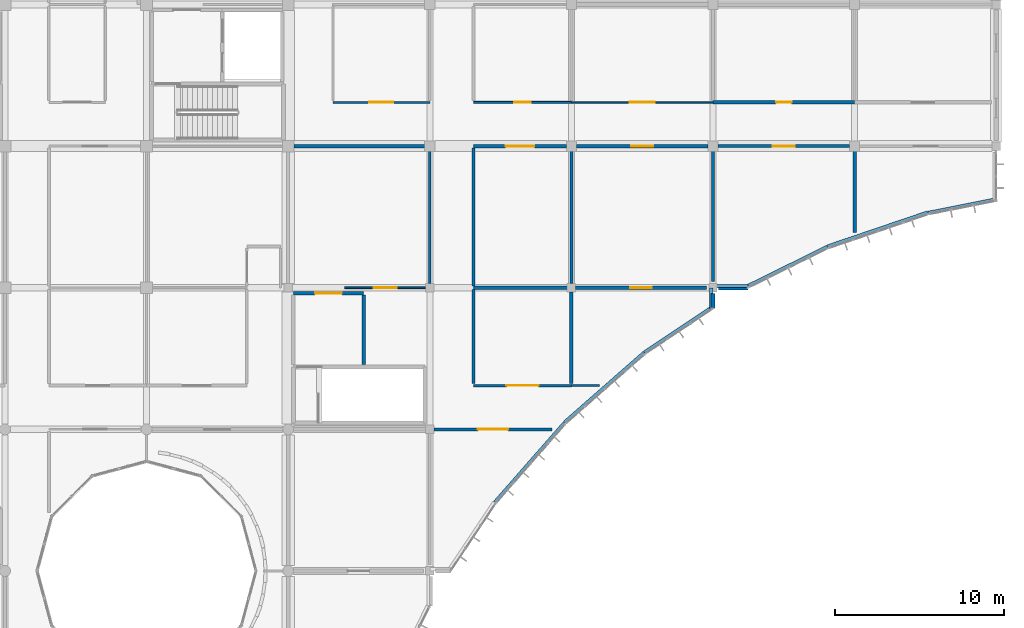
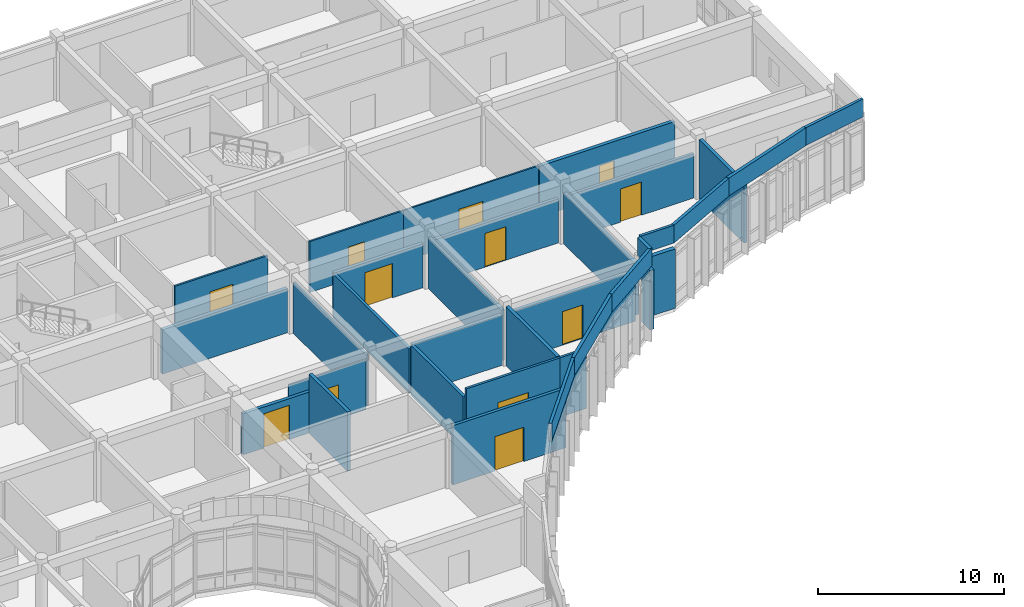
# One storey, part 98 of 119: 33 walls, 12 doors, 12 openings.
"""IFC4 building model written with IfcOpenShell, lengths in metres."""

from ifc_helpers import new_model, si_unit, direction, frame, frame_2d, origin, place, context, subcontext, project, spatial, rectangle, extrude, material, layer, layer_set, type_object, element, fill, save


model = new_model("IFC4")

# Units and contexts
model_context = context("Model", 3, precision=1e-05, world=origin(), true_north=direction((0.0, 1.0)))
body_context = subcontext(model_context, "Body", "Model", "MODEL_VIEW")
ifc_project = project(units=[si_unit("LENGTHUNIT", "METRE"), si_unit("AREAUNIT", "SQUARE_METRE"), si_unit("VOLUMEUNIT", "CUBIC_METRE"), si_unit("PLANEANGLEUNIT", "RADIAN"), si_unit("MASSUNIT", "GRAM", prefix="KILO")], contexts=[model_context])

# Site, building, storey
site_placement = place(None, origin())
site = spatial("IfcSite", under=ifc_project, at=site_placement, CompositionType="ELEMENT")
building_placement = place(site_placement, origin())
building = spatial("IfcBuilding", under=site, at=building_placement, Name="Bramfleet General Hospital", CompositionType="ELEMENT")
storey_placement = place(building_placement, frame((0.0, 0.0, 14.39990234375)))
storey = spatial("IfcBuildingStorey", under=building, at=storey_placement, Name="L03", CompositionType="ELEMENT", Elevation=14.39990234375)

# Walls
ifc_material_1 = material(Name="Precast concrete C40/50", Category="concrete")
ifc_layer_1 = layer(ifc_material_1, 0.264892578125, Name="WT-EW-07")
ifc_layer_set_1 = layer_set([ifc_layer_1], Name="Precast concrete C40/50")
wall_type_1 = type_object("IfcWallType", Name="WT-EW-07", PredefinedType="SOLIDWALL", material=ifc_layer_set_1)
wall_1_placement = place(storey_placement, frame((153.27392578125, 84.0, 0.0), z_axis=(0.0, 0.0, 1.0), x_axis=(-1.0, 0.0, 0.0)))
element("IfcWall", 1, at=wall_1_placement, inside=storey, type_object=wall_type_1, Name="L03 Exterior Wall 257", PredefinedType="SOLIDWALL", context=body_context, shape_type="SweptSolid", body=[
    extrude(rectangle(XDim=1.7490234375, YDim=0.264892578125, at=frame_2d((0.87451171875, 0.0))), origin(), (0.0, 0.0, 1.0), 3.89013671875),
])
ifc_layer_2 = layer(ifc_material_1, 0.25, Name="WT-EW-08")
ifc_layer_set_2 = layer_set([ifc_layer_2], Name="Precast concrete C40/50")
wall_type_2 = type_object("IfcWallType", Name="WT-EW-08", PredefinedType="SOLIDWALL", material=ifc_layer_set_2)
wall_2_placement = place(storey_placement, frame((151.199951171875, 83.675048828125, 0.0), z_axis=(0.0, 0.0, 1.0), x_axis=(0.0, -1.0, 0.0)))
element("IfcWall", 2, at=wall_2_placement, inside=storey, type_object=wall_type_2, Name="L03 Exterior Wall 258", PredefinedType="SOLIDWALL", context=body_context, shape_type="SweptSolid", body=[
    extrude(rectangle(XDim=0.907958984375, YDim=0.25, at=frame_2d((0.4541015625, 0.0))), origin(), (0.0, 0.0, 1.0), 3.89013671875),
])
ifc_material_2 = material(Name="Concrete C35/45", Category="concrete")
ifc_layer_3 = layer(ifc_material_2, 0.219970703125, Name="WT-IW-01")
ifc_layer_set_3 = layer_set([ifc_layer_3], Name="Concrete C35/45")
wall_type_3 = type_object("IfcWallType", Name="WT-IW-01", PredefinedType="PARTITIONING", material=ifc_layer_set_3)
wall_3_placement = place(storey_placement, frame((137.0, 84.0, 0.0), z_axis=(0.0, 0.0, 1.0), x_axis=(1.0, 0.0, 0.0)))
element("IfcWall", 3, at=wall_3_placement, inside=storey, type_object=wall_type_3, Name="L03 Interior Partition IW-L03-2629", PredefinedType="PARTITIONING", context=body_context, shape_type="SweptSolid", body=[
    extrude(rectangle(XDim=5.554931640625, YDim=0.219970703125, at=frame_2d((2.77734375, 0.0))), origin(), (0.0, 0.0, 1.0), 3.2900390625),
])
wall_4_placement = place(storey_placement, frame((126.344970703125, 92.39990234375, 0.0), z_axis=(0.0, 0.0, 1.0), x_axis=(1.0, 0.0, 0.0)))
element("IfcWall", 4, at=wall_4_placement, inside=storey, type_object=wall_type_3, Name="L03 Interior Partition IW-L03-2653", PredefinedType="PARTITIONING", context=body_context, shape_type="SweptSolid", body=[
    extrude(rectangle(XDim=7.760009765625, YDim=0.219970703125, at=frame_2d((3.8798828125, 0.0))), origin(), (0.0, 0.0, 1.0), 2.89013671875),
])

# Wall, opening, door
wall_5_placement = place(storey_placement, frame((151.199951171875, 95.0, 0.0), z_axis=(0.0, 0.0, 1.0), x_axis=(1.0, 0.0, 0.0)))
wall_5 = element("IfcWall", 5, at=wall_5_placement, inside=storey, type_object=wall_type_3, Name="L03 Interior Partition IW-L03-2677", PredefinedType="PARTITIONING", context=body_context, shape_type="SweptSolid", body=[
    extrude(rectangle(XDim=8.400146484375, YDim=0.219970703125, at=frame_2d((4.2001953125, 0.0))), origin(), (0.0, 0.0, 1.0), 3.340087890625),
])
opening_1_placement = place(wall_5_placement, frame((3.739990234375, 0.0, 0.0)))
opening_1 = element("IfcOpeningElement", 6, at=opening_1_placement, cuts=wall_5, Name="Opening D1209", PredefinedType="OPENING", context=body_context, shape_type="SweptSolid", body=[
    extrude(rectangle(XDim=0.919921875, YDim=2.080078125, at=frame_2d((0.4599609375, 1.0400390625))), frame((0.0, 0.119873046875, 0.0), z_axis=(0.0, -1.0, 0.0), x_axis=(1.0, 0.0, 0.0)), (0.0, 0.0, 1.0), 0.239990234375),
])
ifc_material_3 = material(Name="Stainless steel and acoustic timber leaf", Category="steel")
door_type_1 = type_object("IfcDoorType", Name="DR-D-25", OperationType="NOTDEFINED", PredefinedType="DOOR", material=ifc_material_3)
door_1_placement = place(opening_1_placement, origin())
door_1 = element("IfcDoor", 7, at=door_1_placement, inside=storey, type_object=door_type_1, Name="Maternity Delivery Suite and Clinical Lab L03-1811 Door D1209", OperationType="SINGLE_SWING_RIGHT", OverallHeight=2.080078125, OverallWidth=0.919921875, PredefinedType="DOOR", context=body_context, shape_type="SweptSolid", body=[
    extrude(rectangle(XDim=0.919921875, YDim=2.080078125, at=frame_2d((0.4599609375, 1.0400390625))), frame((0.0, 0.02490234375, 0.0), z_axis=(0.0, -1.0, 0.0), x_axis=(1.0, 0.0, 0.0)), (0.0, 0.0, 1.0), 0.050048828125),
])
fill(opening_1, door_1)

# Wall
ifc_layer_4 = layer(ifc_material_2, 0.205078125, Name="WT-IW-02")
ifc_layer_set_4 = layer_set([ifc_layer_4], Name="Concrete C35/45")
wall_type_4 = type_object("IfcWallType", Name="WT-IW-02", PredefinedType="PARTITIONING", material=ifc_layer_set_4)
wall_6_placement = place(storey_placement, frame((130.47998046875, 79.43994140625, 0.0), z_axis=(0.0, 0.0, 1.0), x_axis=(0.0, 1.0, 0.0)))
element("IfcWall", 8, at=wall_6_placement, inside=storey, type_object=wall_type_4, Name="L03 C12 Lobby East Shaft Wall", PredefinedType="PARTITIONING", context=body_context, shape_type="SweptSolid", body=[
    extrude(rectangle(XDim=4.1201171875, YDim=0.205078125, at=frame_2d((2.06005859375, 0.0))), origin(), (0.0, 0.0, 1.0), 3.89013671875),
])

# Wall, opening, door
wall_7_placement = place(storey_placement, frame((126.300048828125, 83.679931640625, 0.0), z_axis=(0.0, 0.0, 1.0), x_axis=(1.0, 0.0, 0.0)))
wall_7 = element("IfcWall", 9, at=wall_7_placement, inside=storey, type_object=wall_type_4, Name="L03 C12 Lobby North Compartment Wall", PredefinedType="PARTITIONING", context=body_context, shape_type="SweptSolid", body=[
    extrude(rectangle(XDim=4.179931640625, YDim=0.205078125, at=frame_2d((2.08984375, 0.0))), origin(), (0.0, 0.0, 1.0), 2.690185546875),
])
opening_2_placement = place(wall_7_placement, frame((1.2900390625, 0.0, 0.0)))
opening_2 = element("IfcOpeningElement", 10, at=opening_2_placement, cuts=wall_7, Name="Opening D0164", PredefinedType="OPENING", context=body_context, shape_type="SweptSolid", body=[
    extrude(rectangle(XDim=1.60009765625, YDim=2.25, at=frame_2d((0.800048828125, 1.125))), frame((0.0, 0.112548828125, 0.0), z_axis=(0.0, -1.0, 0.0), x_axis=(1.0, 0.0, 0.0)), (0.0, 0.0, 1.0), 0.22509765625),
])
door_type_2 = type_object("IfcDoorType", Name="DR-D-04", OperationType="NOTDEFINED", PredefinedType="DOOR", material=ifc_material_3)
door_2_placement = place(opening_2_placement, origin())
door_2 = element("IfcDoor", 11, at=door_2_placement, inside=storey, type_object=door_type_2, Name="L03 C12 Lobby Fire Door D0164", OperationType="DOUBLE_SWING_LEFT", OverallHeight=2.25, OverallWidth=1.60009765625, PredefinedType="DOOR", context=body_context, shape_type="SweptSolid", body=[
    extrude(rectangle(XDim=1.60009765625, YDim=2.25, at=frame_2d((0.800048828125, 1.125))), frame((0.0, 0.02490234375, 0.0), z_axis=(0.0, -1.0, 0.0), x_axis=(1.0, 0.0, 0.0)), (0.0, 0.0, 1.0), 0.050048828125),
])
fill(opening_2, door_2)

wall_8_placement = place(storey_placement, frame((143.044921875, 84.0, 0.0), z_axis=(0.0, 0.0, 1.0), x_axis=(1.0, 0.0, 0.0)))
wall_8 = element("IfcWall", 12, at=wall_8_placement, inside=storey, type_object=wall_type_4, Name="L03 Interior Partition IW-L03-2630", PredefinedType="PARTITIONING", context=body_context, shape_type="SweptSolid", body=[
    extrude(rectangle(XDim=7.76513671875, YDim=0.205078125, at=frame_2d((3.882568359375, 0.0))), origin(), (0.0, 0.0, 1.0), 3.2900390625),
])
opening_3_placement = place(wall_8_placement, frame((3.257568359375, 0.0, 0.0)))
opening_3 = element("IfcOpeningElement", 13, at=opening_3_placement, cuts=wall_8, Name="Opening D1198", PredefinedType="OPENING", context=body_context, shape_type="SweptSolid", body=[
    extrude(rectangle(XDim=1.25, YDim=2.199951171875, at=frame_2d((0.625, 1.10009765625))), frame((0.0, 0.112548828125, 0.0), z_axis=(0.0, -1.0, 0.0), x_axis=(1.0, 0.0, 0.0)), (0.0, 0.0, 1.0), 0.22509765625),
])
door_type_3 = type_object("IfcDoorType", Name="DR-D-14", OperationType="NOTDEFINED", PredefinedType="DOOR", material=ifc_material_3)
door_3_placement = place(opening_3_placement, origin())
door_3 = element("IfcDoor", 14, at=door_3_placement, inside=storey, type_object=door_type_3, Name="Maternity Delivery Suite and Clinical Lab L03-1709 Door D1198", OperationType="SINGLE_SWING_LEFT", OverallHeight=2.199951171875, OverallWidth=1.25, PredefinedType="DOOR", context=body_context, shape_type="SweptSolid", body=[
    extrude(rectangle(XDim=1.25, YDim=2.199951171875, at=frame_2d((0.625, 1.10009765625))), frame((0.0, 0.02490234375, 0.0), z_axis=(0.0, -1.0, 0.0), x_axis=(1.0, 0.0, 0.0)), (0.0, 0.0, 1.0), 0.050048828125),
])
fill(opening_3, door_3)

wall_9_placement = place(storey_placement, frame((137.0, 92.39990234375, 0.0), z_axis=(0.0, 0.0, 1.0), x_axis=(1.0, 0.0, 0.0)))
wall_9 = element("IfcWall", 15, at=wall_9_placement, inside=storey, type_object=wall_type_4, Name="L03 Interior Partition IW-L03-2654", PredefinedType="PARTITIONING", context=body_context, shape_type="SweptSolid", body=[
    extrude(rectangle(XDim=5.5048828125, YDim=0.205078125, at=frame_2d((2.75244140625, 0.0))), origin(), (0.0, 0.0, 1.0), 2.89013671875),
])
opening_4_placement = place(wall_9_placement, frame((1.902587890625, 0.0, 0.0)))
opening_4 = element("IfcOpeningElement", 16, at=opening_4_placement, cuts=wall_9, Name="Opening D1191", PredefinedType="OPENING", context=body_context, shape_type="SweptSolid", body=[
    extrude(rectangle(XDim=1.699951171875, YDim=2.25, at=frame_2d((0.85009765625, 1.125))), frame((0.0, 0.112548828125, 0.0), z_axis=(0.0, -1.0, 0.0), x_axis=(1.0, 0.0, 0.0)), (0.0, 0.0, 1.0), 0.22509765625),
])
door_type_4 = type_object("IfcDoorType", Name="DR-D-07", OperationType="NOTDEFINED", PredefinedType="DOOR", material=ifc_material_3)
door_4_placement = place(opening_4_placement, origin())
door_4 = element("IfcDoor", 17, at=door_4_placement, inside=storey, type_object=door_type_4, Name="Maternity Delivery Suite and Clinical Lab L03-1610 Door D1191", OperationType="DOUBLE_SWING_RIGHT", OverallHeight=2.25, OverallWidth=1.699951171875, PredefinedType="DOOR", context=body_context, shape_type="SweptSolid", body=[
    extrude(rectangle(XDim=1.699951171875, YDim=2.25, at=frame_2d((0.85009765625, 1.125))), frame((0.0, 0.02490234375, 0.0), z_axis=(0.0, -1.0, 0.0), x_axis=(1.0, 0.0, 0.0)), (0.0, 0.0, 1.0), 0.050048828125),
])
fill(opening_4, door_4)

# Walls
wall_10_placement = place(storey_placement, frame((142.800048828125, 78.31494140625, 0.0), z_axis=(0.0, 0.0, 1.0), x_axis=(0.0, 1.0, 0.0)))
element("IfcWall", 18, at=wall_10_placement, inside=storey, type_object=wall_type_4, Name="L03 Interior Partition IW-L03-3038", PredefinedType="PARTITIONING", context=body_context, shape_type="SweptSolid", body=[
    extrude(rectangle(XDim=5.43994140625, YDim=0.205078125, at=frame_2d((2.719970703125, 0.0))), origin(), (0.0, 0.0, 1.0), 3.89013671875),
])
wall_11_placement = place(storey_placement, frame((151.199951171875, 84.375, 0.0), z_axis=(0.0, 0.0, 1.0), x_axis=(0.0, 1.0, 0.0)))
element("IfcWall", 19, at=wall_11_placement, inside=storey, type_object=wall_type_4, Name="L03 Interior Partition IW-L03-3050", PredefinedType="PARTITIONING", context=body_context, shape_type="SweptSolid", body=[
    extrude(rectangle(XDim=7.72998046875, YDim=0.205078125, at=frame_2d((3.864990234375, 0.0))), origin(), (0.0, 0.0, 1.0), 3.340087890625),
])
wall_12_placement = place(storey_placement, frame((159.60009765625, 87.29052734375, 0.0), z_axis=(0.0, 0.0, 1.0), x_axis=(0.0, 1.0, 0.0)))
element("IfcWall", 20, at=wall_12_placement, inside=storey, type_object=wall_type_4, Name="L03 Interior Partition IW-L03-3062", PredefinedType="PARTITIONING", context=body_context, shape_type="SweptSolid", body=[
    extrude(rectangle(XDim=4.814453125, YDim=0.205078125, at=frame_2d((2.4072265625, 0.0))), origin(), (0.0, 0.0, 1.0), 3.89013671875),
])

# Wall, opening, door
ifc_layer_5 = layer(ifc_material_2, 0.18994140625, Name="WT-IW-03")
ifc_layer_set_5 = layer_set([ifc_layer_5], Name="Concrete C35/45")
wall_type_5 = type_object("IfcWallType", Name="WT-IW-03", PredefinedType="PARTITIONING", material=ifc_layer_set_5)
wall_13_placement = place(storey_placement, frame((134.64501953125, 75.60009765625, 0.0), z_axis=(0.0, 0.0, 1.0), x_axis=(1.0, 0.0, 0.0)))
wall_13 = element("IfcWall", 21, at=wall_13_placement, inside=storey, type_object=wall_type_5, Name="L03 Interior Partition IW-L03-2595", PredefinedType="PARTITIONING", context=body_context, shape_type="SweptSolid", body=[
    extrude(rectangle(XDim=7.015869140625, YDim=0.18994140625, at=frame_2d((3.5078125, 0.0))), origin(), (0.0, 0.0, 1.0), 3.89013671875),
])
opening_5_placement = place(wall_13_placement, frame((2.60791015625, 0.0, 0.0)))
opening_5 = element("IfcOpeningElement", 22, at=opening_5_placement, cuts=wall_13, Name="Opening D1189", PredefinedType="OPENING", context=body_context, shape_type="SweptSolid", body=[
    extrude(rectangle(XDim=1.800048828125, YDim=2.25, at=frame_2d((0.89990234375, 1.125))), frame((0.0, 0.10498046875, 0.0), z_axis=(0.0, -1.0, 0.0), x_axis=(1.0, 0.0, 0.0)), (0.0, 0.0, 1.0), 0.2099609375),
])
door_type_5 = type_object("IfcDoorType", Name="DR-D-05", OperationType="NOTDEFINED", PredefinedType="DOOR", material=ifc_material_3)
door_5_placement = place(opening_5_placement, origin())
door_5 = element("IfcDoor", 23, at=door_5_placement, inside=storey, type_object=door_type_5, Name="Maternity Delivery Suite and Clinical Lab L03-1608 Door D1189", OperationType="DOUBLE_SWING_RIGHT", OverallHeight=2.25, OverallWidth=1.800048828125, PredefinedType="DOOR", context=body_context, shape_type="SweptSolid", body=[
    extrude(rectangle(XDim=1.800048828125, YDim=2.25, at=frame_2d((0.89990234375, 1.125))), frame((0.0, 0.02490234375, 0.0), z_axis=(0.0, -1.0, 0.0), x_axis=(1.0, 0.0, 0.0)), (0.0, 0.0, 1.0), 0.050048828125),
])
fill(opening_5, door_5)

wall_14_placement = place(storey_placement, frame((143.094970703125, 92.39990234375, 0.0), z_axis=(0.0, 0.0, 1.0), x_axis=(1.0, 0.0, 0.0)))
wall_14 = element("IfcWall", 24, at=wall_14_placement, inside=storey, type_object=wall_type_5, Name="L03 Interior Partition IW-L03-2655", PredefinedType="PARTITIONING", context=body_context, shape_type="SweptSolid", body=[
    extrude(rectangle(XDim=7.81005859375, YDim=0.18994140625, at=frame_2d((3.905029296875, 0.0))), origin(), (0.0, 0.0, 1.0), 2.89013671875),
])
opening_6_placement = place(wall_14_placement, frame((3.2548828125, 0.0, 0.0)))
opening_6 = element("IfcOpeningElement", 25, at=opening_6_placement, cuts=wall_14, Name="Opening D1199", PredefinedType="OPENING", context=body_context, shape_type="SweptSolid", body=[
    extrude(rectangle(XDim=1.300048828125, YDim=2.199951171875, at=frame_2d((0.64990234375, 1.10009765625))), frame((0.0, 0.10498046875, 0.0), z_axis=(0.0, -1.0, 0.0), x_axis=(1.0, 0.0, 0.0)), (0.0, 0.0, 1.0), 0.2099609375),
])
door_type_6 = type_object("IfcDoorType", Name="DR-D-15", OperationType="NOTDEFINED", PredefinedType="DOOR", material=ifc_material_3)
door_6_placement = place(opening_6_placement, origin())
door_6 = element("IfcDoor", 26, at=door_6_placement, inside=storey, type_object=door_type_6, Name="Maternity Delivery Suite and Clinical Lab L03-1710 Door D1199", OperationType="SINGLE_SWING_RIGHT", OverallHeight=2.199951171875, OverallWidth=1.300048828125, PredefinedType="DOOR", context=body_context, shape_type="SweptSolid", body=[
    extrude(rectangle(XDim=1.300048828125, YDim=2.199951171875, at=frame_2d((0.64990234375, 1.10009765625))), frame((0.0, 0.02490234375, 0.0), z_axis=(0.0, -1.0, 0.0), x_axis=(1.0, 0.0, 0.0)), (0.0, 0.0, 1.0), 0.050048828125),
])
fill(opening_6, door_6)

# Walls
wall_15_placement = place(storey_placement, frame((137.0, 78.31494140625, 0.0), z_axis=(0.0, 0.0, 1.0), x_axis=(0.0, 1.0, 0.0)))
element("IfcWall", 27, at=wall_15_placement, inside=storey, type_object=wall_type_5, Name="L03 Interior Partition IW-L03-3027", PredefinedType="PARTITIONING", context=body_context, shape_type="SweptSolid", body=[
    extrude(rectangle(XDim=5.570068359375, YDim=0.18994140625, at=frame_2d((2.78515625, 0.0))), origin(), (0.0, 0.0, 1.0), 3.2900390625),
])
wall_16_placement = place(storey_placement, frame((142.800048828125, 84.2451171875, 0.0), z_axis=(0.0, 0.0, 1.0), x_axis=(0.0, 1.0, 0.0)))
element("IfcWall", 28, at=wall_16_placement, inside=storey, type_object=wall_type_5, Name="L03 Interior Partition IW-L03-3039", PredefinedType="PARTITIONING", context=body_context, shape_type="SweptSolid", body=[
    extrude(rectangle(XDim=7.85986328125, YDim=0.18994140625, at=frame_2d((3.929931640625, 0.0))), origin(), (0.0, 0.0, 1.0), 3.340087890625),
])

# Wall, opening, door
ifc_layer_6 = layer(ifc_material_2, 0.179931640625, Name="WT-IW-04")
ifc_layer_set_6 = layer_set([ifc_layer_6], Name="Concrete C35/45")
wall_type_6 = type_object("IfcWallType", Name="WT-IW-04", PredefinedType="PARTITIONING", material=ifc_layer_set_6)
wall_17_placement = place(storey_placement, frame((151.4951171875, 92.39990234375, 0.0), z_axis=(0.0, 0.0, 1.0), x_axis=(1.0, 0.0, 0.0)))
wall_17 = element("IfcWall", 29, at=wall_17_placement, inside=storey, type_object=wall_type_6, Name="L03 Interior Partition IW-L03-2656", PredefinedType="PARTITIONING", context=body_context, shape_type="SweptSolid", body=[
    extrude(rectangle(XDim=7.809814453125, YDim=0.179931640625, at=frame_2d((3.90478515625, 0.0))), origin(), (0.0, 0.0, 1.0), 2.89013671875),
])
opening_7_placement = place(wall_17_placement, frame((3.2451171875, 0.0, 0.0)))
opening_7 = element("IfcOpeningElement", 30, at=opening_7_placement, cuts=wall_17, Name="Opening D1208", PredefinedType="OPENING", context=body_context, shape_type="SweptSolid", body=[
    extrude(rectangle(XDim=1.320068359375, YDim=2.179931640625, at=frame_2d((0.66015625, 1.08984375))), frame((0.0, 0.099853515625, 0.0), z_axis=(0.0, -1.0, 0.0), x_axis=(1.0, 0.0, 0.0)), (0.0, 0.0, 1.0), 0.199951171875),
])
door_type_7 = type_object("IfcDoorType", Name="DR-D-24", OperationType="NOTDEFINED", PredefinedType="DOOR", material=ifc_material_3)
door_7_placement = place(opening_7_placement, origin())
door_7 = element("IfcDoor", 31, at=door_7_placement, inside=storey, type_object=door_type_7, Name="Maternity Delivery Suite and Clinical Lab L03-1810 Door D1208", OperationType="SINGLE_SWING_LEFT", OverallHeight=2.179931640625, OverallWidth=1.320068359375, PredefinedType="DOOR", context=body_context, shape_type="SweptSolid", body=[
    extrude(rectangle(XDim=1.320068359375, YDim=2.179931640625, at=frame_2d((0.66015625, 1.08984375))), frame((0.0, 0.02490234375, 0.0), z_axis=(0.0, -1.0, 0.0), x_axis=(1.0, 0.0, 0.0)), (0.0, 0.0, 1.0), 0.050048828125),
])
fill(opening_7, door_7)

# Wall
wall_18_placement = place(storey_placement, frame((137.0, 84.114990234375, 0.0), z_axis=(0.0, 0.0, 1.0), x_axis=(0.0, 1.0, 0.0)))
element("IfcWall", 32, at=wall_18_placement, inside=storey, type_object=wall_type_6, Name="L03 Interior Partition IW-L03-3028", PredefinedType="PARTITIONING", context=body_context, shape_type="SweptSolid", body=[
    extrude(rectangle(XDim=8.169921875, YDim=0.179931640625, at=frame_2d((4.0849609375, 0.0))), origin(), (0.0, 0.0, 1.0), 2.89013671875),
])

# Wall, opening, door
ifc_material_4 = material(Name="Gypsum plasterboard on acoustic steel studs", Category="steel")
ifc_layer_7 = layer(ifc_material_4, 0.14990234375, Name="WT-IW-07")
ifc_layer_set_7 = layer_set([ifc_layer_7], Name="Gypsum plasterboard on acoustic steel studs")
wall_type_7 = type_object("IfcWallType", Name="WT-IW-07", PredefinedType="PARTITIONING", material=ifc_layer_set_7)
wall_19_placement = place(storey_placement, frame((137.0, 78.199951171875, 0.0), z_axis=(0.0, 0.0, 1.0), x_axis=(1.0, 0.0, 0.0)))
wall_19 = element("IfcWall", 33, at=wall_19_placement, inside=storey, type_object=wall_type_7, Name="L03 Interior Partition IW-L03-2611", PredefinedType="PARTITIONING", context=body_context, shape_type="SweptSolid", body=[
    extrude(rectangle(XDim=5.800048828125, YDim=0.14990234375, at=frame_2d((2.89990234375, 0.0))), origin(), (0.0, 0.0, 1.0), 3.89013671875),
])
opening_8_placement = place(wall_19_placement, frame((1.949951171875, 0.0, 0.0)))
opening_8 = element("IfcOpeningElement", 34, at=opening_8_placement, cuts=wall_19, Name="Opening D1190", PredefinedType="OPENING", context=body_context, shape_type="SweptSolid", body=[
    extrude(rectangle(XDim=1.89990234375, YDim=2.300048828125, at=frame_2d((0.949951171875, 1.14990234375))), frame((0.0, 0.0849609375, 0.0), z_axis=(0.0, -1.0, 0.0), x_axis=(1.0, 0.0, 0.0)), (0.0, 0.0, 1.0), 0.169921875),
])
door_type_8 = type_object("IfcDoorType", Name="DR-D-06", OperationType="NOTDEFINED", PredefinedType="DOOR", material=ifc_material_3)
door_8_placement = place(opening_8_placement, origin())
door_8 = element("IfcDoor", 35, at=door_8_placement, inside=storey, type_object=door_type_8, Name="Maternity Delivery Suite and Clinical Lab L03-1609 Door D1190", OperationType="DOUBLE_SWING_LEFT", OverallHeight=2.300048828125, OverallWidth=1.89990234375, PredefinedType="DOOR", context=body_context, shape_type="SweptSolid", body=[
    extrude(rectangle(XDim=1.89990234375, YDim=2.300048828125, at=frame_2d((0.949951171875, 1.14990234375))), frame((0.0, 0.02490234375, 0.0), z_axis=(0.0, -1.0, 0.0), x_axis=(1.0, 0.0, 0.0)), (0.0, 0.0, 1.0), 0.050048828125),
])
fill(opening_8, door_8)

# Walls
ifc_layer_8 = layer(ifc_material_4, 0.139892578125, Name="WT-IW-08")
ifc_layer_set_8 = layer_set([ifc_layer_8], Name="Gypsum plasterboard on acoustic steel studs")
wall_type_8 = type_object("IfcWallType", Name="WT-IW-08", PredefinedType="PARTITIONING", material=ifc_layer_set_8)
wall_20_placement = place(storey_placement, frame((142.800048828125, 78.199951171875, 0.0), z_axis=(0.0, 0.0, 1.0), x_axis=(1.0, 0.0, 0.0)))
element("IfcWall", 36, at=wall_20_placement, inside=storey, type_object=wall_type_8, Name="L03 Interior Partition IW-L03-2612", PredefinedType="PARTITIONING", context=body_context, shape_type="SweptSolid", body=[
    extrude(rectangle(XDim=1.654541015625, YDim=0.139892578125, at=frame_2d((0.8271484375, 0.0))), origin(), (0.0, 0.0, 1.0), 3.89013671875),
])
wall_21_placement = place(storey_placement, frame((134.39990234375, 84.2451171875, 0.0), z_axis=(0.0, 0.0, 1.0), x_axis=(0.0, 1.0, 0.0)))
element("IfcWall", 37, at=wall_21_placement, inside=storey, type_object=wall_type_8, Name="L03 Interior Partition IW-L03-3020", PredefinedType="PARTITIONING", context=body_context, shape_type="SweptSolid", body=[
    extrude(rectangle(XDim=7.85986328125, YDim=0.139892578125, at=frame_2d((3.929931640625, 0.0))), origin(), (0.0, 0.0, 1.0), 3.340087890625),
])

# Wall, opening, door
ifc_layer_9 = layer(ifc_material_4, 0.1201171875, Name="WT-IW-10")
ifc_layer_set_9 = layer_set([ifc_layer_9], Name="Gypsum plasterboard on acoustic steel studs")
wall_type_9 = type_object("IfcWallType", Name="WT-IW-10", PredefinedType="PARTITIONING", material=ifc_layer_set_9)
wall_22_placement = place(storey_placement, frame((128.64990234375, 95.0, 0.0), z_axis=(0.0, 0.0, 1.0), x_axis=(1.0, 0.0, 0.0)))
wall_22 = element("IfcWall", 38, at=wall_22_placement, inside=storey, type_object=wall_type_9, Name="L03 Interior Partition IW-L03-2674", PredefinedType="PARTITIONING", context=body_context, shape_type="SweptSolid", body=[
    extrude(rectangle(XDim=5.75, YDim=0.1201171875, at=frame_2d((2.875, 0.0))), origin(), (0.0, 0.0, 1.0), 3.340087890625),
])
opening_9_placement = place(wall_22_placement, frame((2.1650390625, 0.0, 0.0)))
opening_9 = element("IfcOpeningElement", 39, at=opening_9_placement, cuts=wall_22, Name="Opening D1183", PredefinedType="OPENING", context=body_context, shape_type="SweptSolid", body=[
    extrude(rectangle(XDim=1.419921875, YDim=2.219970703125, at=frame_2d((0.7099609375, 1.10986328125))), frame((0.0, 0.070068359375, 0.0), z_axis=(0.0, -1.0, 0.0), x_axis=(1.0, 0.0, 0.0)), (0.0, 0.0, 1.0), 0.14013671875),
])
door_type_9 = type_object("IfcDoorType", Name="DR-D-31", OperationType="NOTDEFINED", PredefinedType="DOOR", material=ifc_material_3)
door_9_placement = place(opening_9_placement, origin())
door_9 = element("IfcDoor", 40, at=door_9_placement, inside=storey, type_object=door_type_9, Name="Maternity Delivery Suite and Clinical Lab L03-1511 Door D1183", OperationType="SINGLE_SWING_RIGHT", OverallHeight=2.219970703125, OverallWidth=1.419921875, PredefinedType="DOOR", context=body_context, shape_type="SweptSolid", body=[
    extrude(rectangle(XDim=1.419921875, YDim=2.219970703125, at=frame_2d((0.7099609375, 1.10986328125))), frame((0.0, 0.02490234375, 0.0), z_axis=(0.0, -1.0, 0.0), x_axis=(1.0, 0.0, 0.0)), (0.0, 0.0, 1.0), 0.050048828125),
])
fill(opening_9, door_9)

ifc_layer_10 = layer(ifc_material_4, 0.112060546875, Name="WT-IW-11")
ifc_layer_set_10 = layer_set([ifc_layer_10], Name="Gypsum plasterboard on acoustic steel studs")
wall_type_10 = type_object("IfcWallType", Name="WT-IW-11", PredefinedType="PARTITIONING", material=ifc_layer_set_10)
wall_23_placement = place(storey_placement, frame((137.0, 95.0, 0.0), z_axis=(0.0, 0.0, 1.0), x_axis=(1.0, 0.0, 0.0)))
wall_23 = element("IfcWall", 41, at=wall_23_placement, inside=storey, type_object=wall_type_10, Name="L03 Interior Partition IW-L03-2675", PredefinedType="PARTITIONING", context=body_context, shape_type="SweptSolid", body=[
    extrude(rectangle(XDim=5.800048828125, YDim=0.112060546875, at=frame_2d((2.89990234375, 0.0))), origin(), (0.0, 0.0, 1.0), 3.340087890625),
])
opening_10_placement = place(wall_23_placement, frame((2.39990234375, 0.0, 0.0)))
opening_10 = element("IfcOpeningElement", 42, at=opening_10_placement, cuts=wall_23, Name="Opening D1192", PredefinedType="OPENING", context=body_context, shape_type="SweptSolid", body=[
    extrude(rectangle(XDim=1.0, YDim=2.14990234375, at=frame_2d((0.5, 1.074951171875))), frame((0.0, 0.06591796875, 0.0), z_axis=(0.0, -1.0, 0.0), x_axis=(1.0, 0.0, 0.0)), (0.0, 0.0, 1.0), 0.132080078125),
])
door_type_10 = type_object("IfcDoorType", Name="DR-D-08", OperationType="NOTDEFINED", PredefinedType="DOOR", material=ifc_material_3)
door_10_placement = place(opening_10_placement, origin())
door_10 = element("IfcDoor", 43, at=door_10_placement, inside=storey, type_object=door_type_10, Name="Maternity Delivery Suite and Clinical Lab L03-1611 Door D1192", OperationType="SINGLE_SWING_LEFT", OverallHeight=2.14990234375, OverallWidth=1.0, PredefinedType="DOOR", context=body_context, shape_type="SweptSolid", body=[
    extrude(rectangle(XDim=1.0, YDim=2.14990234375, at=frame_2d((0.5, 1.074951171875))), frame((0.0, 0.02490234375, 0.0), z_axis=(0.0, -1.0, 0.0), x_axis=(1.0, 0.0, 0.0)), (0.0, 0.0, 1.0), 0.050048828125),
])
fill(opening_10, door_10)

ifc_layer_11 = layer(ifc_material_4, 0.10009765625, Name="WT-IW-12")
ifc_layer_set_11 = layer_set([ifc_layer_11], Name="Gypsum plasterboard on acoustic steel studs")
wall_type_11 = type_object("IfcWallType", Name="WT-IW-12", PredefinedType="PARTITIONING", material=ifc_layer_set_11)
wall_24_placement = place(storey_placement, frame((129.35009765625, 84.0, 0.0), z_axis=(0.0, 0.0, 1.0), x_axis=(1.0, 0.0, 0.0)))
wall_24 = element("IfcWall", 44, at=wall_24_placement, inside=storey, type_object=wall_type_11, Name="L03 Interior Partition IW-L03-2628", PredefinedType="PARTITIONING", context=body_context, shape_type="SweptSolid", body=[
    extrude(rectangle(XDim=4.804931640625, YDim=0.10009765625, at=frame_2d((2.40234375, 0.0))), origin(), (0.0, 0.0, 1.0), 3.2900390625),
])
opening_11_placement = place(wall_24_placement, frame((1.71240234375, 0.0, 0.0)))
opening_11 = element("IfcOpeningElement", 45, at=opening_11_placement, cuts=wall_24, Name="Opening D1182", PredefinedType="OPENING", context=body_context, shape_type="SweptSolid", body=[
    extrude(rectangle(XDim=1.3798828125, YDim=2.219970703125, at=frame_2d((0.68994140625, 1.10986328125))), frame((0.0, 0.06005859375, 0.0), z_axis=(0.0, -1.0, 0.0), x_axis=(1.0, 0.0, 0.0)), (0.0, 0.0, 1.0), 0.1201171875),
])
door_type_11 = type_object("IfcDoorType", Name="DR-D-30", OperationType="NOTDEFINED", PredefinedType="DOOR", material=ifc_material_3)
door_11_placement = place(opening_11_placement, origin())
door_11 = element("IfcDoor", 46, at=door_11_placement, inside=storey, type_object=door_type_11, Name="Maternity Delivery Suite and Clinical Lab L03-1510 Door D1182", OperationType="SINGLE_SWING_LEFT", OverallHeight=2.219970703125, OverallWidth=1.3798828125, PredefinedType="DOOR", context=body_context, shape_type="SweptSolid", body=[
    extrude(rectangle(XDim=1.3798828125, YDim=2.219970703125, at=frame_2d((0.68994140625, 1.10986328125))), frame((0.0, 0.02490234375, 0.0), z_axis=(0.0, -1.0, 0.0), x_axis=(1.0, 0.0, 0.0)), (0.0, 0.0, 1.0), 0.050048828125),
])
fill(opening_11, door_11)

wall_25_placement = place(storey_placement, frame((142.800048828125, 95.0, 0.0), z_axis=(0.0, 0.0, 1.0), x_axis=(1.0, 0.0, 0.0)))
wall_25 = element("IfcWall", 47, at=wall_25_placement, inside=storey, type_object=wall_type_11, Name="L03 Interior Partition IW-L03-2676", PredefinedType="PARTITIONING", context=body_context, shape_type="SweptSolid", body=[
    extrude(rectangle(XDim=8.39990234375, YDim=0.10009765625, at=frame_2d((4.199951171875, 0.0))), origin(), (0.0, 0.0, 1.0), 3.340087890625),
])
opening_12_placement = place(wall_25_placement, frame((3.4599609375, 0.0, 0.0)))
opening_12 = element("IfcOpeningElement", 48, at=opening_12_placement, cuts=wall_25, Name="Opening D1200", PredefinedType="OPENING", context=body_context, shape_type="SweptSolid", body=[
    extrude(rectangle(XDim=1.47998046875, YDim=2.219970703125, at=frame_2d((0.739990234375, 1.10986328125))), frame((0.0, 0.06005859375, 0.0), z_axis=(0.0, -1.0, 0.0), x_axis=(1.0, 0.0, 0.0)), (0.0, 0.0, 1.0), 0.1201171875),
])
door_type_12 = type_object("IfcDoorType", Name="DR-D-16", OperationType="NOTDEFINED", PredefinedType="DOOR", material=ifc_material_3)
door_12_placement = place(opening_12_placement, origin())
door_12 = element("IfcDoor", 49, at=door_12_placement, inside=storey, type_object=door_type_12, Name="Maternity Delivery Suite and Clinical Lab L03-1711 Door D1200", OperationType="SINGLE_SWING_LEFT", OverallHeight=2.219970703125, OverallWidth=1.47998046875, PredefinedType="DOOR", context=body_context, shape_type="SweptSolid", body=[
    extrude(rectangle(XDim=1.47998046875, YDim=2.219970703125, at=frame_2d((0.739990234375, 1.10986328125))), frame((0.0, 0.02490234375, 0.0), z_axis=(0.0, -1.0, 0.0), x_axis=(1.0, 0.0, 0.0)), (0.0, 0.0, 1.0), 0.050048828125),
])
fill(opening_12, door_12)

# Walls
ifc_layer_12 = layer(ifc_material_1, 0.199951171875, Name="WT-PW-01")
ifc_layer_set_12 = layer_set([ifc_layer_12], Name="Precast concrete C40/50")
wall_type_12 = type_object("IfcWallType", Name="WT-PW-01", PredefinedType="PARAPET", material=ifc_layer_set_12)
wall_26_placement = place(storey_placement, frame((163.94140625, 88.468505859375, 4.18017578125), z_axis=(0.0, 0.0, 1.0), x_axis=(-0.946938763932, -0.32141402795, 0.0)))
element("IfcWall", 50, at=wall_26_placement, inside=storey, type_object=wall_type_12, Name="Roof Parapet Wall 49", PredefinedType="PARAPET", context=body_context, shape_type="SweptSolid", body=[
    extrude(rectangle(XDim=6.27880859375, YDim=0.199951171875, at=frame_2d((3.139404296875, 0.0))), origin(), (0.0, 0.0, 1.0), 1.169921875),
])
wall_27_placement = place(storey_placement, frame((151.090087890625, 84.0, 4.18017578125), z_axis=(0.0, 0.0, 1.0), x_axis=(0.0, -1.0, 0.0)))
element("IfcWall", 51, at=wall_27_placement, inside=storey, type_object=wall_type_12, Name="Roof Parapet Wall 52", PredefinedType="PARAPET", context=body_context, shape_type="SweptSolid", body=[
    extrude(rectangle(XDim=1.232666015625, YDim=0.199951171875, at=frame_2d((0.6162109375, 0.0))), origin(), (0.0, 0.0, 1.0), 1.169921875),
])
ifc_layer_13 = layer(ifc_material_1, 0.18505859375, Name="WT-PW-02")
ifc_layer_set_13 = layer_set([ifc_layer_13], Name="Precast concrete C40/50")
wall_type_13 = type_object("IfcWallType", Name="WT-PW-02", PredefinedType="PARAPET", material=ifc_layer_set_13)
wall_28_placement = place(storey_placement, frame((147.11181640625, 80.158203125, 4.18017578125), z_axis=(0.0, 0.0, 1.0), x_axis=(-0.751827083616, -0.659360323603, 0.0)))
element("IfcWall", 52, at=wall_28_placement, inside=storey, type_object=wall_type_13, Name="Roof Parapet Wall 5", PredefinedType="PARAPET", context=body_context, shape_type="SweptSolid", body=[
    extrude(rectangle(XDim=6.278564453125, YDim=0.18505859375, at=frame_2d((3.13916015625, 0.0))), origin(), (0.0, 0.0, 1.0), 1.169921875),
])
wall_29_placement = place(storey_placement, frame((157.98583984375, 86.43798828125, 4.18017578125), z_axis=(0.0, 0.0, 1.0), x_axis=(-0.896871370763, -0.442291469854, 0.0)))
element("IfcWall", 53, at=wall_29_placement, inside=storey, type_object=wall_type_13, Name="Roof Parapet Wall 50", PredefinedType="PARAPET", context=body_context, shape_type="SweptSolid", body=[
    extrude(rectangle(XDim=5.3046875, YDim=0.18505859375, at=frame_2d((2.65234375, 0.0))), origin(), (0.0, 0.0, 1.0), 1.169921875),
])
wall_30_placement = place(storey_placement, frame((151.14306640625, 82.8525390625, 4.18017578125), z_axis=(0.0, 0.0, 1.0), x_axis=(-0.831482808843, -0.555550482493, 0.0)))
element("IfcWall", 54, at=wall_30_placement, inside=storey, type_object=wall_type_13, Name="Roof Parapet Wall 53", PredefinedType="PARAPET", context=body_context, shape_type="SweptSolid", body=[
    extrude(rectangle(XDim=4.83544921875, YDim=0.18505859375, at=frame_2d((2.417724609375, 0.0))), origin(), (0.0, 0.0, 1.0), 1.169921875),
])
ifc_layer_14 = layer(ifc_material_1, 0.169921875, Name="WT-PW-03")
ifc_layer_set_14 = layer_set([ifc_layer_14], Name="Precast concrete C40/50")
wall_type_14 = type_object("IfcWallType", Name="WT-PW-03", PredefinedType="PARAPET", material=ifc_layer_set_14)
wall_31_placement = place(storey_placement, frame((142.387451171875, 76.003662109375, 4.18017578125), z_axis=(0.0, 0.0, 1.0), x_axis=(-0.659360323603, -0.751827083616, 0.0)))
element("IfcWall", 55, at=wall_31_placement, inside=storey, type_object=wall_type_14, Name="Roof Parapet Wall 6", PredefinedType="PARAPET", context=body_context, shape_type="SweptSolid", body=[
    extrude(rectangle(XDim=6.278564453125, YDim=0.169921875, at=frame_2d((3.13916015625, 0.0))), origin(), (0.0, 0.0, 1.0), 1.169921875),
])
wall_32_placement = place(storey_placement, frame((167.9814453125, 89.2578125, 4.18017578125), z_axis=(0.0, 0.0, 1.0), x_axis=(-0.980783878523, -0.19509736961, 0.0)))
element("IfcWall", 56, at=wall_32_placement, inside=storey, type_object=wall_type_14, Name="Roof Parapet Wall 48", PredefinedType="PARAPET", context=body_context, shape_type="SweptSolid", body=[
    extrude(rectangle(XDim=4.10205078125, YDim=0.169921875, at=frame_2d((2.051025390625, 0.0))), origin(), (0.0, 0.0, 1.0), 1.169921875),
])
wall_33_placement = place(storey_placement, frame((153.273681640625, 84.094970703125, 4.18017578125), z_axis=(0.0, 0.0, 1.0), x_axis=(-1.0, 0.0, 0.0)))
element("IfcWall", 57, at=wall_33_placement, inside=storey, type_object=wall_type_14, Name="Roof Parapet Wall 51", PredefinedType="PARAPET", context=body_context, shape_type="SweptSolid", body=[
    extrude(rectangle(XDim=2.07373046875, YDim=0.169921875, at=frame_2d((1.036865234375, 0.0))), origin(), (0.0, 0.0, 1.0), 1.169921875),
])

save(model, "model.ifc")
